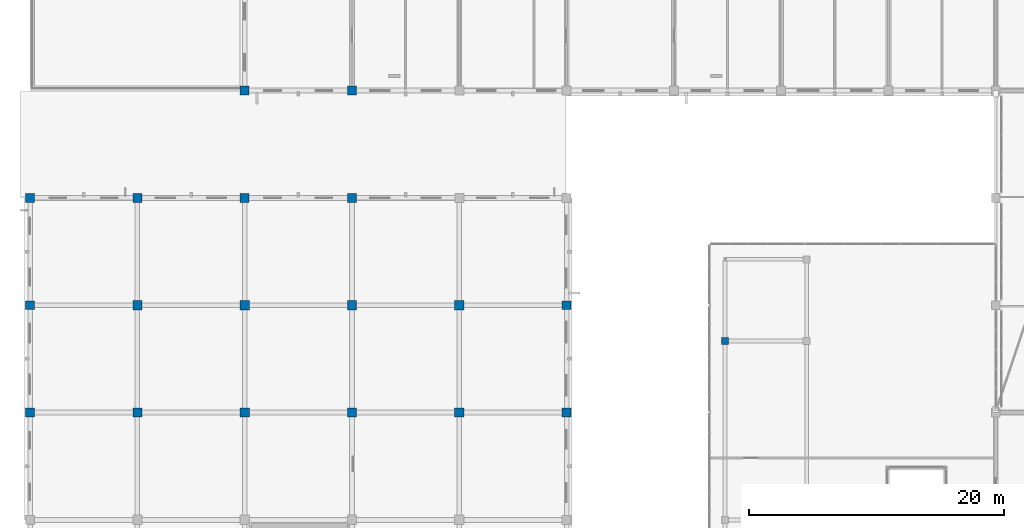
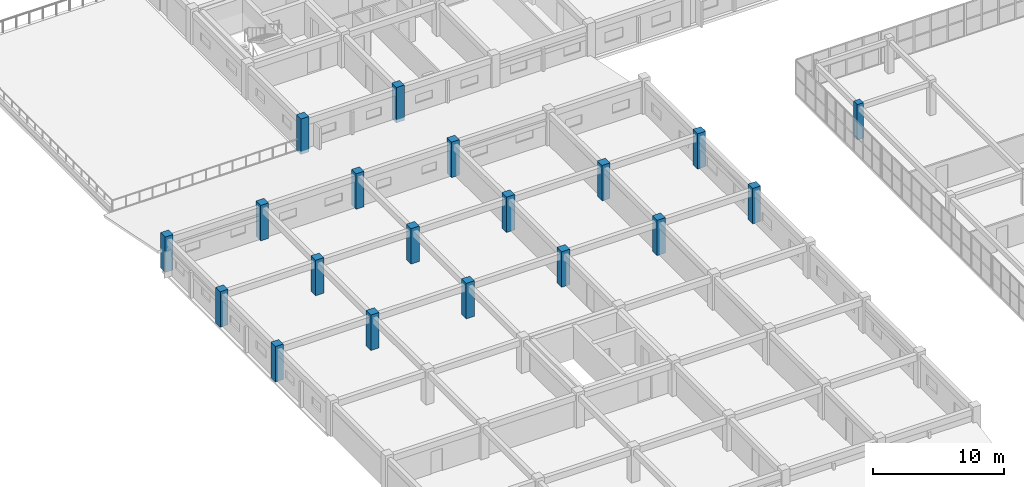
# One storey, part 7 of 148: 19 columns.
"""IFC4 building model written with IfcOpenShell, lengths in metres."""

from ifc_helpers import new_model, si_unit, direction, frame, origin, origin_2d, place, context, subcontext, project, spatial, rectangle, extrude, material, material_profile, profile_set, type_object, element, save


model = new_model("IFC4")

# Units and contexts
model_context = context("Model", 3, precision=1e-05, world=origin(), true_north=direction((0.0, 1.0)))
body_context = subcontext(model_context, "Body", "Model", "MODEL_VIEW")
ifc_project = project(units=[si_unit("LENGTHUNIT", "METRE"), si_unit("AREAUNIT", "SQUARE_METRE"), si_unit("VOLUMEUNIT", "CUBIC_METRE"), si_unit("PLANEANGLEUNIT", "RADIAN"), si_unit("MASSUNIT", "GRAM", prefix="KILO")], contexts=[model_context])

# Site, building, storey
site_placement = place(None, origin())
site = spatial("IfcSite", under=ifc_project, at=site_placement, CompositionType="ELEMENT")
building_placement = place(site_placement, origin())
building = spatial("IfcBuilding", under=site, at=building_placement, Name="Trelvath General Hospital", CompositionType="ELEMENT")
storey_placement = place(building_placement, frame((0.0, 0.0, 12.89990234375)))
storey = spatial("IfcBuildingStorey", under=building, at=storey_placement, Name="L03", CompositionType="ELEMENT", Elevation=12.89990234375)

# Columns
ifc_material_1 = material(Name="Concrete C40/50", Category="concrete")
ifc_material_profile_1 = material_profile(ifc_material_1, rectangle(XDim=0.550048828125, YDim=0.550048828125, at=origin_2d()), Name="RC550x550")
ifc_profile_set_1 = profile_set([ifc_material_profile_1], Name="Concrete C40/50")
column_type_1 = type_object("IfcColumnType", Name="Column RC550", PredefinedType="COLUMN", material=ifc_profile_set_1)
column_placement = place(storey_placement, frame((54.39990234375, 72.800048828125, 0.0), z_axis=(0.0, 0.0, 1.0), x_axis=(1.0, 0.0, 0.0)))
element("IfcColumn", 1, at=column_placement, inside=storey, type_object=column_type_1, Name="Cube Interior Column CC-W14 L03", PredefinedType="COLUMN", context=body_context, shape_type="SweptSolid", body=[
    extrude(rectangle(XDim=0.550048828125, YDim=0.550048828125, at=origin_2d()), origin(), (0.0, 0.0, 1.0), 3.300048828125),
])
ifc_material_2 = material(Name="Concrete C40/50", Category="concrete")
ifc_material_profile_2 = material_profile(ifc_material_2, rectangle(XDim=0.699951171875, YDim=0.699951171875, at=origin_2d()), Name="RC700x700")
ifc_profile_set_2 = profile_set([ifc_material_profile_2], Name="Concrete C40/50")
column_type_2 = type_object("IfcColumnType", Name="Column RC700", PredefinedType="COLUMN", material=ifc_profile_set_2)
for number, where, z_axis, x_axis, name in (
    (2, (0.0, 67.199951171875, 0.0), (0.0, 0.0, 1.0), (1.0, 0.0, 0.0), "Column C-1I L03"),
    (3, (0.0, 75.60009765625, 0.0), (0.0, 0.0, 1.0), (1.0, 0.0, 0.0), "Column C-1J L03"),
    (4, (0.0, 84.0, 0.0), (0.0, 0.0, 1.0), (1.0, 0.0, 0.0), "Column C-1K L03"),
    (5, (8.39990234375, 84.0, 0.0), (0.0, 0.0, 1.0), (1.0, 0.0, 0.0), "Column C-2K L03"),
    (6, (16.800048828125, 84.0, 0.0), (0.0, 0.0, 1.0), (1.0, 0.0, 0.0), "Column C-3K L03"),
    (7, (16.800048828125, 92.39990234375, 0.0), (0.0, 0.0, 1.0), (1.0, 0.0, 0.0), "Column C-3L L03"),
    (8, (25.199951171875, 84.0, 0.0), (0.0, 0.0, 1.0), (1.0, 0.0, 0.0), "Column C-4K L03"),
    (9, (25.199951171875, 92.39990234375, 0.0), (0.0, 0.0, 1.0), (1.0, 0.0, 0.0), "Column C-4L L03"),
    (10, (42.0, 67.199951171875, 0.0), (0.0, 0.0, 1.0), (1.0, 0.0, 0.0), "Column C-6I L03"),
    (11, (42.0, 75.60009765625, 0.0), (0.0, 0.0, 1.0), (1.0, 0.0, 0.0), "Column C-6J L03"),
):
    element("IfcColumn", number, at=place(storey_placement, frame(where, z_axis=z_axis, x_axis=x_axis)), inside=storey, type_object=column_type_2, Name=name, PredefinedType="COLUMN", context=body_context, shape_type="SweptSolid", body=[
        extrude(rectangle(XDim=0.699951171875, YDim=0.699951171875, at=origin_2d()), origin(), (0.0, 0.0, 1.0), 3.300048828125),
    ])
ifc_material_3 = material(Name="Concrete C40/50", Category="concrete")
ifc_material_profile_3 = material_profile(ifc_material_3, rectangle(XDim=0.719970703125, YDim=0.719970703125, at=origin_2d()), Name="RC720x720")
ifc_profile_set_3 = profile_set([ifc_material_profile_3], Name="Concrete C40/50")
column_type_3 = type_object("IfcColumnType", Name="Column RC720", PredefinedType="COLUMN", material=ifc_profile_set_3)
for number, where, z_axis, x_axis, name in (
    (12, (8.39990234375, 67.199951171875, 0.0), (0.0, 0.0, 1.0), (1.0, 0.0, 0.0), "Column C-2I L03"),
    (13, (8.39990234375, 75.60009765625, 0.0), (0.0, 0.0, 1.0), (1.0, 0.0, 0.0), "Column C-2J L03"),
    (14, (16.800048828125, 67.199951171875, 0.0), (0.0, 0.0, 1.0), (1.0, 0.0, 0.0), "Column C-3I L03"),
    (15, (16.800048828125, 75.60009765625, 0.0), (0.0, 0.0, 1.0), (1.0, 0.0, 0.0), "Column C-3J L03"),
    (16, (25.199951171875, 67.199951171875, 0.0), (0.0, 0.0, 1.0), (1.0, 0.0, 0.0), "Column C-4I L03"),
    (17, (25.199951171875, 75.60009765625, 0.0), (0.0, 0.0, 1.0), (1.0, 0.0, 0.0), "Column C-4J L03"),
    (18, (33.60009765625, 67.199951171875, 0.0), (0.0, 0.0, 1.0), (1.0, 0.0, 0.0), "Column C-5I L03"),
    (19, (33.60009765625, 75.60009765625, 0.0), (0.0, 0.0, 1.0), (1.0, 0.0, 0.0), "Column C-5J L03"),
):
    element("IfcColumn", number, at=place(storey_placement, frame(where, z_axis=z_axis, x_axis=x_axis)), inside=storey, type_object=column_type_3, Name=name, PredefinedType="COLUMN", context=body_context, shape_type="SweptSolid", body=[
        extrude(rectangle(XDim=0.719970703125, YDim=0.719970703125, at=origin_2d()), origin(), (0.0, 0.0, 1.0), 3.300048828125),
    ])

save(model, "model.ifc")
